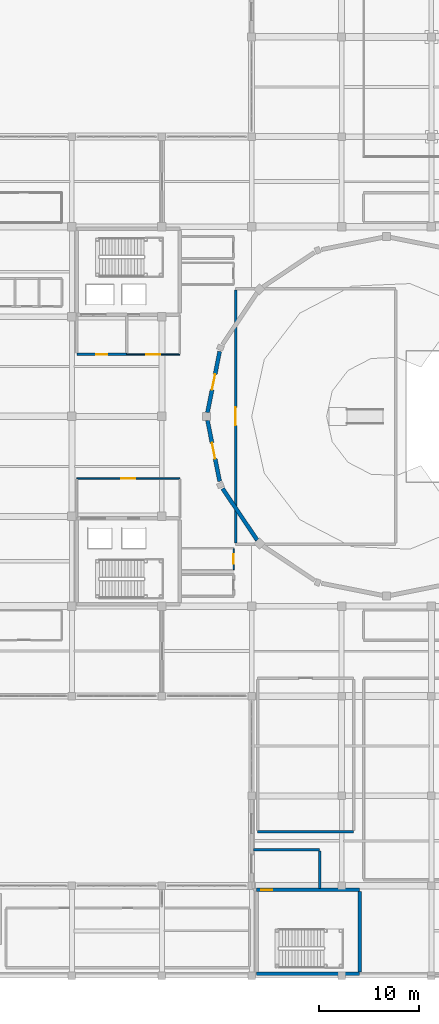
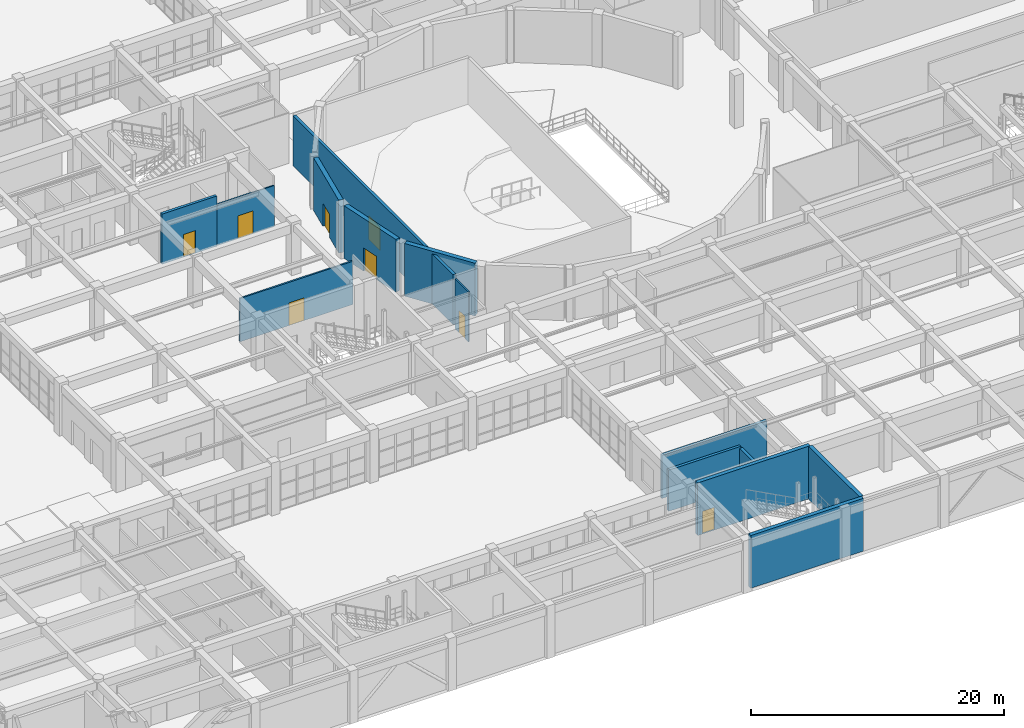
# One storey, part 102 of 128: 14 walls, 8 doors, 8 openings.
"""IFC4 building model written with IfcOpenShell, lengths in metres."""

from ifc_helpers import new_model, si_unit, direction, frame, frame_2d, origin, place, context, subcontext, project, spatial, rectangle, extrude, material, layer, layer_set, type_object, element, fill, save


model = new_model("IFC4")

# Units and contexts
model_context = context("Model", 3, precision=1e-05, world=origin(), true_north=direction((0.0, 1.0)))
body_context = subcontext(model_context, "Body", "Model", "MODEL_VIEW")
ifc_project = project(units=[si_unit("LENGTHUNIT", "METRE"), si_unit("AREAUNIT", "SQUARE_METRE"), si_unit("VOLUMEUNIT", "CUBIC_METRE"), si_unit("PLANEANGLEUNIT", "RADIAN"), si_unit("MASSUNIT", "GRAM", prefix="KILO")], contexts=[model_context])

# Site, building, storey
site_placement = place(None, origin())
site = spatial("IfcSite", under=ifc_project, at=site_placement, CompositionType="ELEMENT")
building_placement = place(site_placement, origin())
building = spatial("IfcBuilding", under=site, at=building_placement, Name="Miravela Opera House", CompositionType="ELEMENT")
storey_placement = place(building_placement, origin())
storey = spatial("IfcBuildingStorey", under=building, at=storey_placement, Name="L00", CompositionType="ELEMENT", Elevation=0.0)

# Wall, opening, door
ifc_material_1 = material(Name="Fire-rated acoustic gypsum partition")
ifc_layer_1 = layer(ifc_material_1, 0.1298828125)
ifc_layer_set_1 = layer_set([ifc_layer_1])
wall_type_1 = type_object("IfcWallType", Name="ARC-PT-130", PredefinedType="PARTITIONING", material=ifc_layer_set_1)
wall_1_placement = place(storey_placement, frame((50.5, 62.199951171875, 0.0), z_axis=(0.0, 0.0, 1.0), x_axis=(1.0, 0.0, 0.0)))
wall_1 = element("IfcWall", 1, at=wall_1_placement, inside=storey, type_object=wall_type_1, Name="Passenger Lift Lobby K1 L00 Partition South", PredefinedType="PARTITIONING", context=body_context, shape_type="SweptSolid", body=[
    extrude(rectangle(XDim=5.300048828125, YDim=0.1298828125, at=frame_2d((2.64990234375, 0.0))), origin(), (0.0, 0.0, 1.0), 3.97998046875),
])
opening_1_placement = place(wall_1_placement, frame((1.949951171875, 0.0, 0.0)))
opening_1 = element("IfcOpeningElement", 2, at=opening_1_placement, cuts=wall_1, Name="Opening FD-03", PredefinedType="OPENING", context=body_context, shape_type="SweptSolid", body=[
    extrude(rectangle(XDim=1.39990234375, YDim=2.199951171875, at=frame_2d((0.699951171875, 1.10009765625))), frame((0.0, 0.074951171875, 0.0), z_axis=(0.0, -1.0, 0.0), x_axis=(1.0, 0.0, 0.0)), (0.0, 0.0, 1.0), 0.14990234375),
])
ifc_material_2 = material(Name="Fire-rated lobby/archive double door")
door_type_1 = type_object("IfcDoorType", Name="ARC-FD-1400X2200", OperationType="NOTDEFINED", PredefinedType="DOOR", material=ifc_material_2)
door_1_placement = place(opening_1_placement, frame((1.39990234375, 0.0, 0.0), z_axis=(0.0, 0.0, 1.0), x_axis=(-1.0, 0.0, 0.0)))
door_1 = element("IfcDoor", 3, at=door_1_placement, inside=storey, type_object=door_type_1, Name="Passenger Lift Lobby K1 L00 Entry Door IDR-L00-0087", OperationType="DOUBLE_DOOR_SINGLE_SWING", OverallHeight=2.199951171875, OverallWidth=1.39990234375, PredefinedType="DOOR", context=body_context, shape_type="SweptSolid", body=[
    extrude(rectangle(XDim=1.39990234375, YDim=2.199951171875, at=frame_2d((0.699951171875, 1.10009765625))), frame((0.0, 0.02490234375, 0.0), z_axis=(0.0, -1.0, 0.0), x_axis=(1.0, 0.0, 0.0)), (0.0, 0.0, 1.0), 0.050048828125),
])
fill(opening_1, door_1)

wall_2_placement = place(storey_placement, frame((61.199951171875, 40.6650390625, 0.0), z_axis=(0.0, 0.0, 1.0), x_axis=(0.0, 1.0, 0.0)))
wall_2 = element("IfcWall", 4, at=wall_2_placement, inside=storey, type_object=wall_type_1, Name="Auditorium Stalls Vomitory South-West Partition East", PredefinedType="PARTITIONING", context=body_context, shape_type="SweptSolid", body=[
    extrude(rectangle(XDim=2.070068359375, YDim=0.1298828125, at=frame_2d((1.03515625, 0.0))), origin(), (0.0, 0.0, 1.0), 4.85009765625),
])
opening_2_placement = place(wall_2_placement, frame((0.56005859375, 0.0, 0.0)))
opening_2 = element("IfcOpeningElement", 5, at=opening_2_placement, cuts=wall_2, Name="Opening ID-01", PredefinedType="OPENING", context=body_context, shape_type="SweptSolid", body=[
    extrude(rectangle(XDim=0.949951171875, YDim=2.14990234375, at=frame_2d((0.47509765625, 1.074951171875))), frame((0.0, 0.074951171875, 0.0), z_axis=(0.0, -1.0, 0.0), x_axis=(1.0, 0.0, 0.0)), (0.0, 0.0, 1.0), 0.14990234375),
])
ifc_material_3 = material(Name="Solid mahogany acoustic room door")
door_type_2 = type_object("IfcDoorType", Name="ARC-DR-950X2150", OperationType="NOTDEFINED", PredefinedType="DOOR", material=ifc_material_3)
door_2_placement = place(opening_2_placement, frame((0.949951171875, 0.0, 0.0), z_axis=(0.0, 0.0, 1.0), x_axis=(-1.0, 0.0, 0.0)))
door_2 = element("IfcDoor", 6, at=door_2_placement, inside=storey, type_object=door_type_2, Name="Auditorium Stalls Vomitory South-West Entry Door IDR-L00-0097", OperationType="SINGLE_SWING_LEFT", OverallHeight=2.14990234375, OverallWidth=0.949951171875, PredefinedType="DOOR", context=body_context, shape_type="SweptSolid", body=[
    extrude(rectangle(XDim=0.949951171875, YDim=2.14990234375, at=frame_2d((0.47509765625, 1.074951171875))), frame((0.0, 0.02490234375, 0.0), z_axis=(0.0, -1.0, 0.0), x_axis=(1.0, 0.0, 0.0)), (0.0, 0.0, 1.0), 0.050048828125),
])
fill(opening_2, door_2)

ifc_material_4 = material(Name="Studio double-stud acoustic partition")
ifc_layer_2 = layer(ifc_material_4, 0.14990234375)
ifc_layer_set_2 = layer_set([ifc_layer_2])
wall_type_2 = type_object("IfcWallType", Name="ARC-PT-145", PredefinedType="PARTITIONING", material=ifc_layer_set_2)
wall_3_placement = place(storey_placement, frame((45.5, 49.800048828125, 0.0), z_axis=(0.0, 0.0, 1.0), x_axis=(1.0, 0.0, 0.0)))
wall_3 = element("IfcWall", 7, at=wall_3_placement, inside=storey, type_object=wall_type_2, Name="Passenger Lift Lobby K2 L00 Partition North", PredefinedType="PARTITIONING", context=body_context, shape_type="SweptSolid", body=[
    extrude(rectangle(XDim=10.300048828125, YDim=0.14990234375, at=frame_2d((5.14990234375, 0.0))), origin(), (0.0, 0.0, 1.0), 4.179931640625),
])
opening_3_placement = place(wall_3_placement, frame((4.449951171875, 0.0, 0.0)))
opening_3 = element("IfcOpeningElement", 8, at=opening_3_placement, cuts=wall_3, Name="Opening FD-03", PredefinedType="OPENING", context=body_context, shape_type="SweptSolid", body=[
    extrude(rectangle(XDim=1.39990234375, YDim=2.199951171875, at=frame_2d((0.699951171875, 1.10009765625))), frame((0.0, 0.0849609375, 0.0), z_axis=(0.0, -1.0, 0.0), x_axis=(1.0, 0.0, 0.0)), (0.0, 0.0, 1.0), 0.169921875),
])
door_3_placement = place(opening_3_placement, origin())
door_3 = element("IfcDoor", 9, at=door_3_placement, inside=storey, type_object=door_type_1, Name="Passenger Lift Lobby K2 L00 Entry Door IDR-L00-0088", OperationType="DOUBLE_DOOR_SINGLE_SWING", OverallHeight=2.199951171875, OverallWidth=1.39990234375, PredefinedType="DOOR", context=body_context, shape_type="SweptSolid", body=[
    extrude(rectangle(XDim=1.39990234375, YDim=2.199951171875, at=frame_2d((0.699951171875, 1.10009765625))), frame((0.0, 0.02490234375, 0.0), z_axis=(0.0, -1.0, 0.0), x_axis=(1.0, 0.0, 0.0)), (0.0, 0.0, 1.0), 0.050048828125),
])
fill(opening_3, door_3)

ifc_material_5 = material(Name="Firefighting lobby compartment wall")
ifc_layer_3 = layer(ifc_material_5, 0.25)
ifc_layer_set_3 = layer_set([ifc_layer_3])
wall_type_3 = type_object("IfcWallType", Name="ARC-PT-220", PredefinedType="PARTITIONING", material=ifc_layer_set_3)
wall_4_placement = place(storey_placement, frame((45.5, 62.199951171875, 0.0), z_axis=(0.0, 0.0, 1.0), x_axis=(1.0, 0.0, 0.0)))
wall_4 = element("IfcWall", 10, at=wall_4_placement, inside=storey, type_object=wall_type_3, Name="Firefighting Lobby K1 L00 Partition South", PredefinedType="PARTITIONING", context=body_context, shape_type="SweptSolid", body=[
    extrude(rectangle(XDim=5.0, YDim=0.25, at=frame_2d((2.5, 0.0))), origin(), (0.0, 0.0, 1.0), 4.85009765625),
])
opening_4_placement = place(wall_4_placement, frame((1.949951171875, 0.0, 0.0)))
opening_4 = element("IfcOpeningElement", 11, at=opening_4_placement, cuts=wall_4, Name="Opening FD-01", PredefinedType="OPENING", context=body_context, shape_type="SweptSolid", body=[
    extrude(rectangle(XDim=1.10009765625, YDim=2.199951171875, at=frame_2d((0.550048828125, 1.10009765625))), frame((0.0, 0.135009765625, 0.0), z_axis=(0.0, -1.0, 0.0), x_axis=(1.0, 0.0, 0.0)), (0.0, 0.0, 1.0), 0.27001953125),
])
ifc_material_6 = material(Name="Fire-rated steel/hardwood exit stair door", Category="steel")
door_type_3 = type_object("IfcDoorType", Name="ARC-FD-1100X2200", OperationType="NOTDEFINED", PredefinedType="DOOR", material=ifc_material_6)
door_4_placement = place(opening_4_placement, frame((1.10009765625, 0.0, 0.0), z_axis=(0.0, 0.0, 1.0), x_axis=(-1.0, 0.0, 0.0)))
door_4 = element("IfcDoor", 12, at=door_4_placement, inside=storey, type_object=door_type_3, Name="Firefighting Lobby K1 L00 Entry Door IDR-L00-0086", OperationType="SINGLE_SWING_LEFT", OverallHeight=2.199951171875, OverallWidth=1.10009765625, PredefinedType="DOOR", context=body_context, shape_type="SweptSolid", body=[
    extrude(rectangle(XDim=1.10009765625, YDim=2.199951171875, at=frame_2d((0.550048828125, 1.10009765625))), frame((0.0, 0.02490234375, 0.0), z_axis=(0.0, -1.0, 0.0), x_axis=(1.0, 0.0, 0.0)), (0.0, 0.0, 1.0), 0.050048828125),
])
fill(opening_4, door_4)

wall_5_placement = place(storey_placement, frame((61.39990234375, 43.324951171875, 0.0), z_axis=(0.0, 0.0, 1.0), x_axis=(0.0, 1.0, 0.0)))
wall_5 = element("IfcWall", 13, at=wall_5_placement, inside=storey, type_object=wall_type_3, Name="Main Opera Auditorium Stalls Partition West", PredefinedType="PARTITIONING", context=body_context, shape_type="SweptSolid", body=[
    extrude(rectangle(XDim=25.35009765625, YDim=0.25, at=frame_2d((12.675048828125, 0.0))), origin(), (0.0, 0.0, 1.0), 4.85009765625),
])
opening_5_placement = place(wall_5_placement, frame((11.77490234375, 0.0, 0.0)))
opening_5 = element("IfcOpeningElement", 14, at=opening_5_placement, cuts=wall_5, Name="Opening FD-05", PredefinedType="OPENING", context=body_context, shape_type="SweptSolid", body=[
    extrude(rectangle(XDim=1.800048828125, YDim=2.300048828125, at=frame_2d((0.89990234375, 1.14990234375))), frame((0.0, 0.135009765625, 0.0), z_axis=(0.0, -1.0, 0.0), x_axis=(1.0, 0.0, 0.0)), (0.0, 0.0, 1.0), 0.27001953125),
])
ifc_material_7 = material(Name="Heavy acoustic EI 120 stage/auditorium pair")
door_type_4 = type_object("IfcDoorType", Name="ARC-FD-1800X2300", OperationType="NOTDEFINED", PredefinedType="DOOR", material=ifc_material_7)
door_5_placement = place(opening_5_placement, frame((1.800048828125, 0.0, 0.0), z_axis=(0.0, 0.0, 1.0), x_axis=(-1.0, 0.0, 0.0)))
door_5 = element("IfcDoor", 15, at=door_5_placement, inside=storey, type_object=door_type_4, Name="Main Opera Auditorium Stalls Entry Door IDR-L00-0100", OperationType="DOUBLE_DOOR_SINGLE_SWING", OverallHeight=2.300048828125, OverallWidth=1.800048828125, PredefinedType="DOOR", context=body_context, shape_type="SweptSolid", body=[
    extrude(rectangle(XDim=1.800048828125, YDim=2.300048828125, at=frame_2d((0.89990234375, 1.14990234375))), frame((0.0, 0.02490234375, 0.0), z_axis=(0.0, -1.0, 0.0), x_axis=(1.0, 0.0, 0.0)), (0.0, 0.0, 1.0), 0.050048828125),
])
fill(opening_5, door_5)

# Walls
wall_6_placement = place(storey_placement, frame((63.60009765625, 14.39990234375, 0.0), z_axis=(0.0, 0.0, 1.0), x_axis=(1.0, 0.0, 0.0)))
element("IfcWall", 16, at=wall_6_placement, inside=storey, type_object=wall_type_3, Name="Stage Footwear and Leather Workshop Partition South", PredefinedType="PARTITIONING", context=body_context, shape_type="SweptSolid", body=[
    extrude(rectangle(XDim=9.599853515625, YDim=0.25, at=frame_2d((4.7998046875, 0.0))), origin(), (0.0, 0.0, 1.0), 4.179931640625),
])
wall_7_placement = place(storey_placement, frame((63.179931640625, 12.60009765625, 0.0), z_axis=(0.0, 0.0, 1.0), x_axis=(1.0, 0.0, 0.0)))
element("IfcWall", 17, at=wall_7_placement, inside=storey, type_object=wall_type_3, Name="Protected Exit Passageway ST-06 Partition North", PredefinedType="PARTITIONING", context=body_context, shape_type="SweptSolid", body=[
    extrude(rectangle(XDim=6.6201171875, YDim=0.25, at=frame_2d((3.31005859375, 0.0))), origin(), (0.0, 0.0, 1.0), 3.97998046875),
])
wall_8_placement = place(storey_placement, frame((69.800048828125, 8.72509765625, 0.0), z_axis=(0.0, 0.0, 1.0), x_axis=(0.0, 1.0, 0.0)))
element("IfcWall", 18, at=wall_8_placement, inside=storey, type_object=wall_type_3, Name="Protected Exit Passageway ST-06 Partition East", PredefinedType="PARTITIONING", context=body_context, shape_type="SweptSolid", body=[
    extrude(rectangle(XDim=3.75, YDim=0.25, at=frame_2d((1.875, 0.0))), origin(), (0.0, 0.0, 1.0), 3.830078125),
])
ifc_material_8 = material(Name="Concrete C40/50", Category="concrete")
ifc_layer_4 = layer(ifc_material_8, 0.35009765625)
ifc_layer_set_4 = layer_set([ifc_layer_4])
wall_type_4 = type_object("IfcWallType", Name="STR-WALL-CORE-350", PredefinedType="SHEAR", material=ifc_layer_set_4)
wall_9_placement = place(storey_placement, frame((63.5, 0.199951171875, 0.0), z_axis=(0.0, 0.0, 1.0), x_axis=(1.0, 0.0, 0.0)))
element("IfcWall", 19, at=wall_9_placement, inside=storey, type_object=wall_type_4, Name="Core K6 Shear Wall South (L00)", PredefinedType="SHEAR", context=body_context, shape_type="SweptSolid", body=[
    extrude(rectangle(XDim=10.300048828125, YDim=0.35009765625, at=frame_2d((5.14990234375, 0.0))), origin(), (0.0, 0.0, 1.0), 5.10009765625),
])

# Wall, opening, door
wall_10_placement = place(storey_placement, frame((63.5, 8.60009765625, 0.0), z_axis=(0.0, 0.0, 1.0), x_axis=(1.0, 0.0, 0.0)))
wall_10 = element("IfcWall", 20, at=wall_10_placement, inside=storey, type_object=wall_type_4, Name="Core K6 Shear Wall North (L00)", PredefinedType="SHEAR", context=body_context, shape_type="SweptSolid", body=[
    extrude(rectangle(XDim=10.300048828125, YDim=0.35009765625, at=frame_2d((5.14990234375, 0.0))), origin(), (0.0, 0.0, 1.0), 5.10009765625),
])
opening_6_placement = place(wall_10_placement, frame((0.449951171875, 0.0, 0.0)))
opening_6 = element("IfcOpeningElement", 21, at=opening_6_placement, cuts=wall_10, Name="Opening FD-01", PredefinedType="OPENING", context=body_context, shape_type="SweptSolid", body=[
    extrude(rectangle(XDim=1.10009765625, YDim=2.199951171875, at=frame_2d((0.550048828125, 1.10009765625))), frame((0.0, 0.18505859375, 0.0), z_axis=(0.0, -1.0, 0.0), x_axis=(1.0, 0.0, 0.0)), (0.0, 0.0, 1.0), 0.3701171875),
])
door_6_placement = place(opening_6_placement, frame((1.10009765625, 0.0, 0.0), z_axis=(0.0, 0.0, 1.0), x_axis=(-1.0, 0.0, 0.0)))
door_6 = element("IfcDoor", 22, at=door_6_placement, inside=storey, type_object=door_type_3, Name="Exit Stair ST-06 Rated Door (L00) IDR-L00-0037", OperationType="SINGLE_SWING_LEFT", OverallHeight=2.199951171875, OverallWidth=1.10009765625, PredefinedType="DOOR", context=body_context, shape_type="SweptSolid", body=[
    extrude(rectangle(XDim=1.10009765625, YDim=2.199951171875, at=frame_2d((0.550048828125, 1.10009765625))), frame((0.0, 0.02490234375, 0.0), z_axis=(0.0, -1.0, 0.0), x_axis=(1.0, 0.0, 0.0)), (0.0, 0.0, 1.0), 0.050048828125),
])
fill(opening_6, door_6)

# Wall
wall_11_placement = place(storey_placement, frame((73.800048828125, 0.375, 0.0), z_axis=(0.0, 0.0, 1.0), x_axis=(0.0, 1.0, 0.0)))
element("IfcWall", 23, at=wall_11_placement, inside=storey, type_object=wall_type_4, Name="Core K6 Shear Wall East (L00)", PredefinedType="SHEAR", context=body_context, shape_type="SweptSolid", body=[
    extrude(rectangle(XDim=8.050048828125, YDim=0.35009765625, at=frame_2d((4.02490234375, 0.0))), origin(), (0.0, 0.0, 1.0), 5.10009765625),
])

# Wall, opening, door
ifc_layer_5 = layer(ifc_material_8, 0.39990234375)
ifc_layer_set_5 = layer_set([ifc_layer_5])
wall_type_5 = type_object("IfcWallType", Name="STR-WALL-DRUM-400", PredefinedType="SHEAR", material=ifc_layer_set_5)
wall_12_placement = place(storey_placement, frame((59.792236328125, 62.49609375, 0.0), z_axis=(0.0, 0.0, 1.0), x_axis=(-0.195127752786, -0.980777834218, 0.0)))
wall_12 = element("IfcWall", 24, at=wall_12_placement, inside=storey, type_object=wall_type_5, Name="Auditorium Drum Shear Wall L00 Seg 8", PredefinedType="SHEAR", context=body_context, shape_type="SweptSolid", body=[
    extrude(rectangle(XDim=6.223388671875, YDim=0.39990234375, at=frame_2d((3.11181640625, 0.0))), origin(), (0.0, 0.0, 1.0), 5.10009765625),
])
opening_7_placement = place(wall_12_placement, frame((2.3115234375, 0.0, 0.0)))
opening_7 = element("IfcOpeningElement", 25, at=opening_7_placement, cuts=wall_12, Name="Opening FD-04", PredefinedType="OPENING", context=body_context, shape_type="SweptSolid", body=[
    extrude(rectangle(XDim=1.60009765625, YDim=2.25, at=frame_2d((0.800048828125, 1.125))), frame((0.0, 0.2099609375, 0.0), z_axis=(0.0, -1.0, 0.0), x_axis=(1.0, 0.0, 0.0)), (0.0, 0.0, 1.0), 0.419921875),
])
ifc_material_9 = material(Name="Fire-rated rehearsal/vomitory double door")
door_type_5 = type_object("IfcDoorType", Name="ARC-FD-1600X2250", OperationType="NOTDEFINED", PredefinedType="DOOR", material=ifc_material_9)
door_7_placement = place(opening_7_placement, frame((1.60009765625, 0.0, 0.0), z_axis=(0.0, 0.0, 1.0), x_axis=(-1.0, 0.0, 0.0)))
door_7 = element("IfcDoor", 26, at=door_7_placement, inside=storey, type_object=door_type_5, Name="Auditorium Drum Acoustic Vestibule Door L00-S8 IDR-L00-0358", OperationType="DOUBLE_DOOR_SINGLE_SWING", OverallHeight=2.25, OverallWidth=1.60009765625, PredefinedType="DOOR", context=body_context, shape_type="SweptSolid", body=[
    extrude(rectangle(XDim=1.60009765625, YDim=2.25, at=frame_2d((0.800048828125, 1.125))), frame((0.0, 0.02490234375, 0.0), z_axis=(0.0, -1.0, 0.0), x_axis=(1.0, 0.0, 0.0)), (0.0, 0.0, 1.0), 0.050048828125),
])
fill(opening_7, door_7)

wall_13_placement = place(storey_placement, frame((58.577880859375, 55.607666015625, 0.0), z_axis=(0.0, 0.0, 1.0), x_axis=(0.195127752786, -0.980777834218, 0.0)))
wall_13 = element("IfcWall", 27, at=wall_13_placement, inside=storey, type_object=wall_type_5, Name="Auditorium Drum Shear Wall L00 Seg 9", PredefinedType="SHEAR", context=body_context, shape_type="SweptSolid", body=[
    extrude(rectangle(XDim=6.223388671875, YDim=0.39990234375, at=frame_2d((3.11181640625, 0.0))), origin(), (0.0, 0.0, 1.0), 5.10009765625),
])
opening_8_placement = place(wall_13_placement, frame((2.3115234375, 0.0, 0.0)))
opening_8 = element("IfcOpeningElement", 28, at=opening_8_placement, cuts=wall_13, Name="Opening FD-04", PredefinedType="OPENING", context=body_context, shape_type="SweptSolid", body=[
    extrude(rectangle(XDim=1.60009765625, YDim=2.25, at=frame_2d((0.800048828125, 1.125))), frame((0.0, 0.2099609375, 0.0), z_axis=(0.0, -1.0, 0.0), x_axis=(1.0, 0.0, 0.0)), (0.0, 0.0, 1.0), 0.419921875),
])
door_8_placement = place(opening_8_placement, frame((1.60009765625, 0.0, 0.0), z_axis=(0.0, 0.0, 1.0), x_axis=(-1.0, 0.0, 0.0)))
door_8 = element("IfcDoor", 29, at=door_8_placement, inside=storey, type_object=door_type_5, Name="Auditorium Drum Acoustic Vestibule Door L00-S9 IDR-L00-0359", OperationType="DOUBLE_DOOR_SINGLE_SWING", OverallHeight=2.25, OverallWidth=1.60009765625, PredefinedType="DOOR", context=body_context, shape_type="SweptSolid", body=[
    extrude(rectangle(XDim=1.60009765625, YDim=2.25, at=frame_2d((0.800048828125, 1.125))), frame((0.0, 0.02490234375, 0.0), z_axis=(0.0, -1.0, 0.0), x_axis=(1.0, 0.0, 0.0)), (0.0, 0.0, 1.0), 0.050048828125),
])
fill(opening_8, door_8)

# Wall
wall_14_placement = place(storey_placement, frame((60.09228515625, 48.779052734375, 0.0), z_axis=(0.0, 0.0, 1.0), x_axis=(0.555587101324, -0.831458341015, 0.0)))
element("IfcWall", 30, at=wall_14_placement, inside=storey, type_object=wall_type_5, Name="Auditorium Drum Shear Wall L00 Seg 10", PredefinedType="SHEAR", context=body_context, shape_type="SweptSolid", body=[
    extrude(rectangle(XDim=6.22314453125, YDim=0.39990234375, at=frame_2d((3.111572265625, 0.0))), origin(), (0.0, 0.0, 1.0), 5.10009765625),
])

save(model, "model.ifc")
